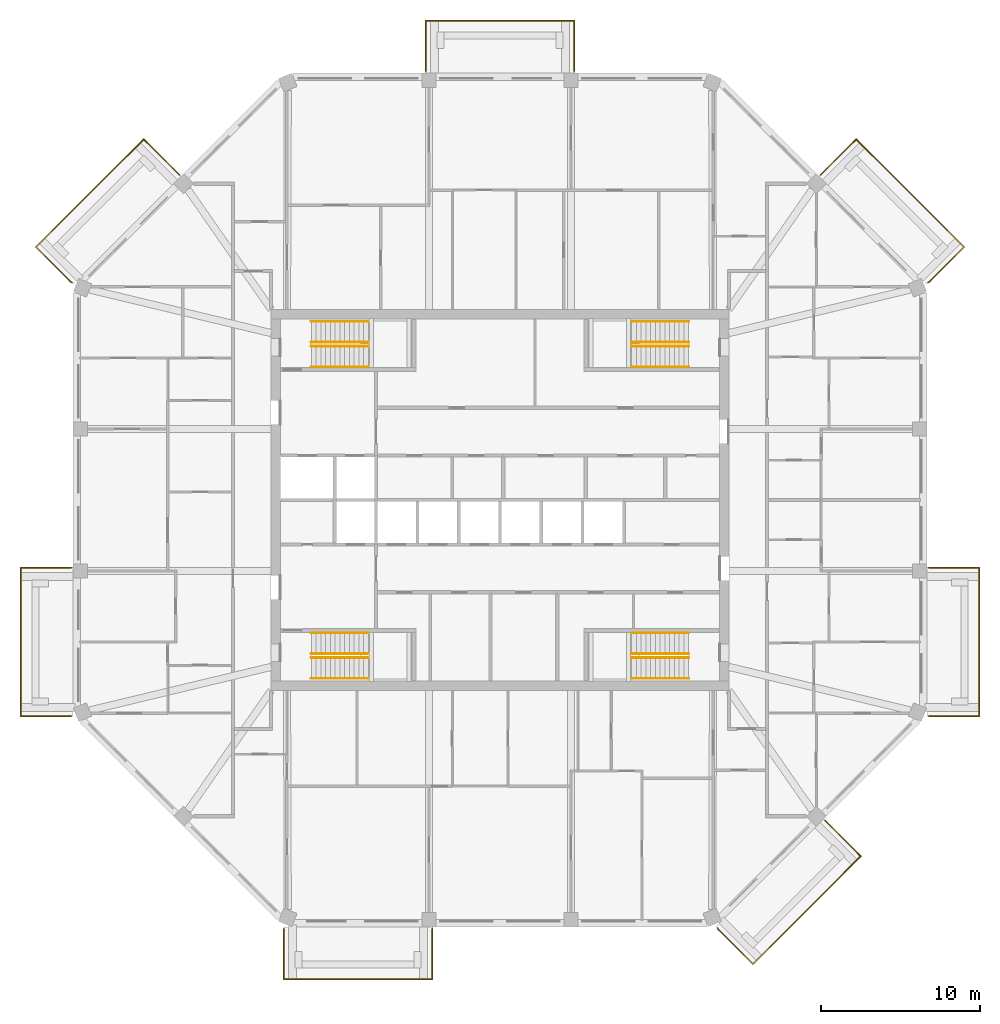
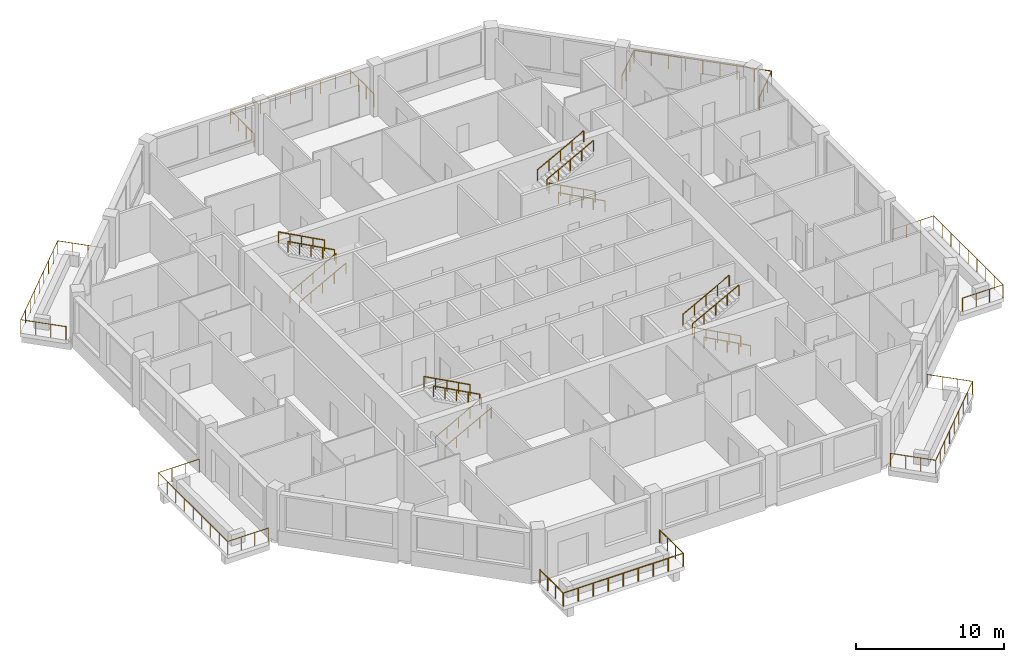
# One storey, part 11 of 11: 23 railings.
"""IFC4 building model written with IfcOpenShell, lengths in metres."""

from ifc_helpers import new_model, si_unit, direction, frame, origin, origin_2d, place, context, subcontext, project, spatial, circle, extrude, material, constituent, constituent_set, type_object, element, save


model = new_model("IFC4")

# Units and contexts
model_context = context("Model", 3, precision=1e-05, world=origin(), true_north=direction((0.0, 1.0)))
body_context = subcontext(model_context, "Body", "Model", "MODEL_VIEW")
ifc_project = project(units=[si_unit("LENGTHUNIT", "METRE"), si_unit("AREAUNIT", "SQUARE_METRE"), si_unit("VOLUMEUNIT", "CUBIC_METRE"), si_unit("PLANEANGLEUNIT", "RADIAN"), si_unit("MASSUNIT", "GRAM", prefix="KILO")], contexts=[model_context])

# Site, building, storey
site_placement = place(None, origin())
site = spatial("IfcSite", under=ifc_project, at=site_placement, CompositionType="ELEMENT")
building_placement = place(site_placement, origin())
building = spatial("IfcBuilding", under=site, at=building_placement, Name="Msitu Wima Residences", CompositionType="ELEMENT")
storey_placement = place(building_placement, frame((0.0, 0.0, 264.300048828125)))
storey = spatial("IfcBuildingStorey", under=building, at=storey_placement, Name="L61", CompositionType="ELEMENT", Elevation=264.300048828125)

# Railings
ifc_material_1 = material(Name="Steel S355", Category="steel")
ifc_constituent_1 = constituent(ifc_material_1, Name="Steel S355")
ifc_material_2 = material(Name="Weathering patina")
ifc_constituent_2 = constituent(ifc_material_2, Name="Weathering patina")
ifc_constituent_set_1 = constituent_set(constituents=[ifc_constituent_1, ifc_constituent_2], Name="Steel S355")
railing_type_1 = type_object("IfcRailingType", Name="Balcony guard GR1100", PredefinedType="GUARDRAIL", material=ifc_constituent_set_1)
railing_1_placement = place(storey_placement, frame((26.97998046875, -4.2685546875, 0.0)))
element("IfcRailing", 1, at=railing_1_placement, inside=storey, type_object=railing_type_1, Name="Balcony guard E0 L61", PredefinedType="GUARDRAIL", context=body_context, shape_type="SweptSolid", body=[
    extrude(circle(Radius=0.02392578125, at=origin_2d()), frame((0.0, 0.0, 1.076171875), z_axis=(1.0, 0.0, 0.0), x_axis=(0.0, 1.0, 0.0)), (0.0, 0.0, 1.0), 3.169921875),
    extrude(circle(Radius=0.02392578125, at=origin_2d()), frame((3.169921875, 0.0, 1.076171875), z_axis=(0.0, -1.0, 0.0), x_axis=(1.0, 0.0, 0.0)), (0.0, 0.0, 1.0), 9.33740234375),
    extrude(circle(Radius=0.02392578125, at=origin_2d()), frame((3.169921875, -9.33740234375, 1.076171875), z_axis=(-1.0, 0.0, 0.0), x_axis=(0.0, -1.0, 0.0)), (0.0, 0.0, 1.0), 3.136474609375),
    extrude(circle(Radius=0.02392578125, at=origin_2d()), frame((0.033447265625, -9.33740234375, 1.076171875), z_axis=(-0.923276184907, 0.384136806859, 0.0), x_axis=(-0.384136806859, -0.923276184907, 0.0)), (0.0, 0.0, 1.0), 0.0361328125),
    extrude(circle(Radius=0.02099609375, at=origin_2d()), origin(), (0.0, 0.0, 1.0), 1.052001953125),
    extrude(circle(Radius=0.02099609375, at=origin_2d()), frame((1.056640625, 0.0, 0.0)), (0.0, 0.0, 1.0), 1.052001953125),
    extrude(circle(Radius=0.02099609375, at=origin_2d()), frame((2.11328125, 0.0, 0.0)), (0.0, 0.0, 1.0), 1.052001953125),
    extrude(circle(Radius=0.02099609375, at=origin_2d()), frame((3.169921875, 0.0, 0.0)), (0.0, 0.0, 1.0), 1.052001953125),
    extrude(circle(Radius=0.02099609375, at=origin_2d()), frame((3.169921875, -1.167236328125, 0.0)), (0.0, 0.0, 1.0), 1.052001953125),
    extrude(circle(Radius=0.02099609375, at=origin_2d()), frame((3.169921875, -2.33447265625, 0.0)), (0.0, 0.0, 1.0), 1.052001953125),
    extrude(circle(Radius=0.02099609375, at=origin_2d()), frame((3.169921875, -3.50146484375, 0.0)), (0.0, 0.0, 1.0), 1.052001953125),
    extrude(circle(Radius=0.02099609375, at=origin_2d()), frame((3.169921875, -4.668701171875, 0.0)), (0.0, 0.0, 1.0), 1.052001953125),
    extrude(circle(Radius=0.02099609375, at=origin_2d()), frame((3.169921875, -5.8359375, 0.0)), (0.0, 0.0, 1.0), 1.052001953125),
    extrude(circle(Radius=0.02099609375, at=origin_2d()), frame((3.169921875, -7.0029296875, 0.0)), (0.0, 0.0, 1.0), 1.052001953125),
    extrude(circle(Radius=0.02099609375, at=origin_2d()), frame((3.169921875, -8.170166015625, 0.0)), (0.0, 0.0, 1.0), 1.052001953125),
    extrude(circle(Radius=0.02099609375, at=origin_2d()), frame((3.169921875, -9.33740234375, 0.0)), (0.0, 0.0, 1.0), 1.052001953125),
    extrude(circle(Radius=0.02099609375, at=origin_2d()), frame((2.12451171875, -9.33740234375, 0.0)), (0.0, 0.0, 1.0), 1.052001953125),
    extrude(circle(Radius=0.02099609375, at=origin_2d()), frame((1.078857421875, -9.33740234375, 0.0)), (0.0, 0.0, 1.0), 1.052001953125),
    extrude(circle(Radius=0.02099609375, at=origin_2d()), frame((0.033447265625, -9.33740234375, 0.0)), (0.0, 0.0, 1.0), 1.052001953125),
    extrude(circle(Radius=0.02099609375, at=origin_2d()), frame((0.0, -9.323486328125, 0.0)), (0.0, 0.0, 1.0), 1.052001953125),
])
railing_2_placement = place(storey_placement, frame((20.171630859375, 20.45458984375, 0.0)))
element("IfcRailing", 2, at=railing_2_placement, inside=storey, type_object=railing_type_1, Name="Balcony guard NE0 L61", PredefinedType="GUARDRAIL", context=body_context, shape_type="SweptSolid", body=[
    extrude(circle(Radius=0.02392578125, at=origin_2d()), frame((0.0, 0.0, 1.076171875), z_axis=(0.707106781187, 0.707106781187, 0.0), x_axis=(-0.707106781187, 0.707106781187, 0.0)), (0.0, 0.0, 1.0), 3.169921875),
    extrude(circle(Radius=0.02392578125, at=origin_2d()), frame((2.241455078125, 2.241455078125, 1.076171875), z_axis=(0.707106781187, -0.707106781187, 0.0), x_axis=(0.707106781187, 0.707106781187, 0.0)), (0.0, 0.0, 1.0), 9.58837890625),
    extrude(circle(Radius=0.02392578125, at=origin_2d()), frame((9.021484375, -4.53857421875, 1.076171875), z_axis=(-0.707106781187, -0.707106781187, 0.0), x_axis=(0.707106781187, -0.707106781187, 0.0)), (0.0, 0.0, 1.0), 3.136474609375),
    extrude(circle(Radius=0.02392578125, at=origin_2d()), frame((6.8037109375, -6.75634765625, 1.076171875), z_axis=(-0.92426142649, -0.38176015442, 0.0), x_axis=(0.38176015442, -0.92426142649, 0.0)), (0.0, 0.0, 1.0), 0.036376953125),
    extrude(circle(Radius=0.02099609375, at=origin_2d()), origin(), (0.0, 0.0, 1.0), 1.052001953125),
    extrude(circle(Radius=0.02099609375, at=origin_2d()), frame((0.7470703125, 0.7470703125, 0.0)), (0.0, 0.0, 1.0), 1.052001953125),
    extrude(circle(Radius=0.02099609375, at=origin_2d()), frame((1.494384765625, 1.494384765625, 0.0)), (0.0, 0.0, 1.0), 1.052001953125),
    extrude(circle(Radius=0.02099609375, at=origin_2d()), frame((2.241455078125, 2.241455078125, 0.0)), (0.0, 0.0, 1.0), 1.052001953125),
    extrude(circle(Radius=0.02099609375, at=origin_2d()), frame((3.0888671875, 1.39404296875, 0.0)), (0.0, 0.0, 1.0), 1.052001953125),
    extrude(circle(Radius=0.02099609375, at=origin_2d()), frame((3.9365234375, 0.54638671875, 0.0)), (0.0, 0.0, 1.0), 1.052001953125),
    extrude(circle(Radius=0.02099609375, at=origin_2d()), frame((4.783935546875, -0.301025390625, 0.0)), (0.0, 0.0, 1.0), 1.052001953125),
    extrude(circle(Radius=0.02099609375, at=origin_2d()), frame((5.63134765625, -1.1484375, 0.0)), (0.0, 0.0, 1.0), 1.052001953125),
    extrude(circle(Radius=0.02099609375, at=origin_2d()), frame((6.47900390625, -1.99609375, 0.0)), (0.0, 0.0, 1.0), 1.052001953125),
    extrude(circle(Radius=0.02099609375, at=origin_2d()), frame((7.326416015625, -2.843505859375, 0.0)), (0.0, 0.0, 1.0), 1.052001953125),
    extrude(circle(Radius=0.02099609375, at=origin_2d()), frame((8.174072265625, -3.691162109375, 0.0)), (0.0, 0.0, 1.0), 1.052001953125),
    extrude(circle(Radius=0.02099609375, at=origin_2d()), frame((9.021484375, -4.53857421875, 0.0)), (0.0, 0.0, 1.0), 1.052001953125),
    extrude(circle(Radius=0.02099609375, at=origin_2d()), frame((8.2822265625, -5.27783203125, 0.0)), (0.0, 0.0, 1.0), 1.052001953125),
    extrude(circle(Radius=0.02099609375, at=origin_2d()), frame((7.54296875, -6.01708984375, 0.0)), (0.0, 0.0, 1.0), 1.052001953125),
    extrude(circle(Radius=0.02099609375, at=origin_2d()), frame((6.8037109375, -6.75634765625, 0.0)), (0.0, 0.0, 1.0), 1.052001953125),
    extrude(circle(Radius=0.02099609375, at=origin_2d()), frame((6.77001953125, -6.770263671875, 0.0)), (0.0, 0.0, 1.0), 1.052001953125),
])
railing_3_placement = place(storey_placement, frame((-4.668701171875, 26.97998046875, 0.0)))
element("IfcRailing", 3, at=railing_3_placement, inside=storey, type_object=railing_type_1, Name="Balcony guard N1 L61", PredefinedType="GUARDRAIL", context=body_context, shape_type="SweptSolid", body=[
    extrude(circle(Radius=0.02392578125, at=origin_2d()), frame((0.0, 0.0, 1.076171875), z_axis=(0.0, 1.0, 0.0), x_axis=(-1.0, 0.0, 0.0)), (0.0, 0.0, 1.0), 3.169921875),
    extrude(circle(Radius=0.02392578125, at=origin_2d()), frame((0.0, 3.169921875, 1.076171875), z_axis=(1.0, 0.0, 0.0), x_axis=(0.0, 1.0, 0.0)), (0.0, 0.0, 1.0), 9.33740234375),
    extrude(circle(Radius=0.02392578125, at=origin_2d()), frame((9.33740234375, 3.169921875, 1.076171875), z_axis=(0.0, -1.0, 0.0), x_axis=(1.0, 0.0, 0.0)), (0.0, 0.0, 1.0), 3.169921875),
    extrude(circle(Radius=0.02099609375, at=origin_2d()), origin(), (0.0, 0.0, 1.0), 1.052001953125),
    extrude(circle(Radius=0.02099609375, at=origin_2d()), frame((0.0, 1.056640625, 0.0)), (0.0, 0.0, 1.0), 1.052001953125),
    extrude(circle(Radius=0.02099609375, at=origin_2d()), frame((0.0, 2.11328125, 0.0)), (0.0, 0.0, 1.0), 1.052001953125),
    extrude(circle(Radius=0.02099609375, at=origin_2d()), frame((0.0, 3.169921875, 0.0)), (0.0, 0.0, 1.0), 1.052001953125),
    extrude(circle(Radius=0.02099609375, at=origin_2d()), frame((1.167236328125, 3.169921875, 0.0)), (0.0, 0.0, 1.0), 1.052001953125),
    extrude(circle(Radius=0.02099609375, at=origin_2d()), frame((2.33447265625, 3.169921875, 0.0)), (0.0, 0.0, 1.0), 1.052001953125),
    extrude(circle(Radius=0.02099609375, at=origin_2d()), frame((3.50146484375, 3.169921875, 0.0)), (0.0, 0.0, 1.0), 1.052001953125),
    extrude(circle(Radius=0.02099609375, at=origin_2d()), frame((4.668701171875, 3.169921875, 0.0)), (0.0, 0.0, 1.0), 1.052001953125),
    extrude(circle(Radius=0.02099609375, at=origin_2d()), frame((5.8359375, 3.169921875, 0.0)), (0.0, 0.0, 1.0), 1.052001953125),
    extrude(circle(Radius=0.02099609375, at=origin_2d()), frame((7.0029296875, 3.169921875, 0.0)), (0.0, 0.0, 1.0), 1.052001953125),
    extrude(circle(Radius=0.02099609375, at=origin_2d()), frame((8.170166015625, 3.169921875, 0.0)), (0.0, 0.0, 1.0), 1.052001953125),
    extrude(circle(Radius=0.02099609375, at=origin_2d()), frame((9.33740234375, 3.169921875, 0.0)), (0.0, 0.0, 1.0), 1.052001953125),
    extrude(circle(Radius=0.02099609375, at=origin_2d()), frame((9.33740234375, 2.11328125, 0.0)), (0.0, 0.0, 1.0), 1.052001953125),
    extrude(circle(Radius=0.02099609375, at=origin_2d()), frame((9.33740234375, 1.056640625, 0.0)), (0.0, 0.0, 1.0), 1.052001953125),
    extrude(circle(Radius=0.02099609375, at=origin_2d()), frame((9.33740234375, 0.0, 0.0)), (0.0, 0.0, 1.0), 1.052001953125),
])
railing_4_placement = place(storey_placement, frame((-26.941650390625, 13.684326171875, 0.0)))
element("IfcRailing", 4, at=railing_4_placement, inside=storey, type_object=railing_type_1, Name="Balcony guard NW1 L61", PredefinedType="GUARDRAIL", context=body_context, shape_type="SweptSolid", body=[
    extrude(circle(Radius=0.02392578125, at=origin_2d()), frame((0.0, 0.0, 1.076171875), z_axis=(-0.92426142649, 0.38176015442, 0.0), x_axis=(-0.38176015442, -0.92426142649, 0.0)), (0.0, 0.0, 1.0), 0.036376953125),
    extrude(circle(Radius=0.02392578125, at=origin_2d()), frame((-0.03369140625, 0.013916015625, 1.076171875), z_axis=(-0.707106781187, 0.707106781187, 0.0), x_axis=(-0.707106781187, -0.707106781187, 0.0)), (0.0, 0.0, 1.0), 3.136474609375),
    extrude(circle(Radius=0.02392578125, at=origin_2d()), frame((-2.25146484375, 2.231689453125, 1.076171875), z_axis=(0.707106781187, 0.707106781187, 0.0), x_axis=(-0.707106781187, 0.707106781187, 0.0)), (0.0, 0.0, 1.0), 9.58837890625),
    extrude(circle(Radius=0.02392578125, at=origin_2d()), frame((4.528564453125, 9.01171875, 1.076171875), z_axis=(0.707106781187, -0.707106781187, 0.0), x_axis=(0.707106781187, 0.707106781187, 0.0)), (0.0, 0.0, 1.0), 3.169921875),
    extrude(circle(Radius=0.02099609375, at=origin_2d()), origin(), (0.0, 0.0, 1.0), 1.052001953125),
    extrude(circle(Radius=0.02099609375, at=origin_2d()), frame((-0.03369140625, 0.013916015625, 0.0)), (0.0, 0.0, 1.0), 1.052001953125),
    extrude(circle(Radius=0.02099609375, at=origin_2d()), frame((-0.77294921875, 0.753173828125, 0.0)), (0.0, 0.0, 1.0), 1.052001953125),
    extrude(circle(Radius=0.02099609375, at=origin_2d()), frame((-1.51220703125, 1.492431640625, 0.0)), (0.0, 0.0, 1.0), 1.052001953125),
    extrude(circle(Radius=0.02099609375, at=origin_2d()), frame((-2.25146484375, 2.231689453125, 0.0)), (0.0, 0.0, 1.0), 1.052001953125),
    extrude(circle(Radius=0.02099609375, at=origin_2d()), frame((-1.404052734375, 3.0791015625, 0.0)), (0.0, 0.0, 1.0), 1.052001953125),
    extrude(circle(Radius=0.02099609375, at=origin_2d()), frame((-0.556396484375, 3.9267578125, 0.0)), (0.0, 0.0, 1.0), 1.052001953125),
    extrude(circle(Radius=0.02099609375, at=origin_2d()), frame((0.291015625, 4.774169921875, 0.0)), (0.0, 0.0, 1.0), 1.052001953125),
    extrude(circle(Radius=0.02099609375, at=origin_2d()), frame((1.138671875, 5.62158203125, 0.0)), (0.0, 0.0, 1.0), 1.052001953125),
    extrude(circle(Radius=0.02099609375, at=origin_2d()), frame((1.986083984375, 6.46923828125, 0.0)), (0.0, 0.0, 1.0), 1.052001953125),
    extrude(circle(Radius=0.02099609375, at=origin_2d()), frame((2.83349609375, 7.316650390625, 0.0)), (0.0, 0.0, 1.0), 1.052001953125),
    extrude(circle(Radius=0.02099609375, at=origin_2d()), frame((3.68115234375, 8.164306640625, 0.0)), (0.0, 0.0, 1.0), 1.052001953125),
    extrude(circle(Radius=0.02099609375, at=origin_2d()), frame((4.528564453125, 9.01171875, 0.0)), (0.0, 0.0, 1.0), 1.052001953125),
    extrude(circle(Radius=0.02099609375, at=origin_2d()), frame((5.275634765625, 8.2646484375, 0.0)), (0.0, 0.0, 1.0), 1.052001953125),
    extrude(circle(Radius=0.02099609375, at=origin_2d()), frame((6.02294921875, 7.517333984375, 0.0)), (0.0, 0.0, 1.0), 1.052001953125),
    extrude(circle(Radius=0.02099609375, at=origin_2d()), frame((6.77001953125, 6.770263671875, 0.0)), (0.0, 0.0, 1.0), 1.052001953125),
])
railing_5_placement = place(storey_placement, frame((-26.97998046875, -13.592041015625, 0.0)))
element("IfcRailing", 5, at=railing_5_placement, inside=storey, type_object=railing_type_1, Name="Balcony guard W2 L61", PredefinedType="GUARDRAIL", context=body_context, shape_type="SweptSolid", body=[
    extrude(circle(Radius=0.02392578125, at=origin_2d()), frame((0.0, 0.0, 1.076171875), z_axis=(-0.923276184907, -0.384136806859, 0.0), x_axis=(0.384136806859, -0.923276184907, 0.0)), (0.0, 0.0, 1.0), 0.0361328125),
    extrude(circle(Radius=0.02392578125, at=origin_2d()), frame((-0.033447265625, -0.013916015625, 1.076171875), z_axis=(-1.0, 0.0, 0.0), x_axis=(0.0, -1.0, 0.0)), (0.0, 0.0, 1.0), 3.136474609375),
    extrude(circle(Radius=0.02392578125, at=origin_2d()), frame((-3.169921875, -0.013916015625, 1.076171875), z_axis=(0.0, 1.0, 0.0), x_axis=(-1.0, 0.0, 0.0)), (0.0, 0.0, 1.0), 9.33740234375),
    extrude(circle(Radius=0.02392578125, at=origin_2d()), frame((-3.169921875, 9.323486328125, 1.076171875), z_axis=(1.0, 0.0, 0.0), x_axis=(0.0, 1.0, 0.0)), (0.0, 0.0, 1.0), 3.169921875),
    extrude(circle(Radius=0.02099609375, at=origin_2d()), origin(), (0.0, 0.0, 1.0), 1.052001953125),
    extrude(circle(Radius=0.02099609375, at=origin_2d()), frame((-0.033447265625, -0.013916015625, 0.0)), (0.0, 0.0, 1.0), 1.052001953125),
    extrude(circle(Radius=0.02099609375, at=origin_2d()), frame((-1.078857421875, -0.013916015625, 0.0)), (0.0, 0.0, 1.0), 1.052001953125),
    extrude(circle(Radius=0.02099609375, at=origin_2d()), frame((-2.12451171875, -0.013916015625, 0.0)), (0.0, 0.0, 1.0), 1.052001953125),
    extrude(circle(Radius=0.02099609375, at=origin_2d()), frame((-3.169921875, -0.013916015625, 0.0)), (0.0, 0.0, 1.0), 1.052001953125),
    extrude(circle(Radius=0.02099609375, at=origin_2d()), frame((-3.169921875, 1.1533203125, 0.0)), (0.0, 0.0, 1.0), 1.052001953125),
    extrude(circle(Radius=0.02099609375, at=origin_2d()), frame((-3.169921875, 2.3203125, 0.0)), (0.0, 0.0, 1.0), 1.052001953125),
    extrude(circle(Radius=0.02099609375, at=origin_2d()), frame((-3.169921875, 3.487548828125, 0.0)), (0.0, 0.0, 1.0), 1.052001953125),
    extrude(circle(Radius=0.02099609375, at=origin_2d()), frame((-3.169921875, 4.65478515625, 0.0)), (0.0, 0.0, 1.0), 1.052001953125),
    extrude(circle(Radius=0.02099609375, at=origin_2d()), frame((-3.169921875, 5.822021484375, 0.0)), (0.0, 0.0, 1.0), 1.052001953125),
    extrude(circle(Radius=0.02099609375, at=origin_2d()), frame((-3.169921875, 6.9892578125, 0.0)), (0.0, 0.0, 1.0), 1.052001953125),
    extrude(circle(Radius=0.02099609375, at=origin_2d()), frame((-3.169921875, 8.15625, 0.0)), (0.0, 0.0, 1.0), 1.052001953125),
    extrude(circle(Radius=0.02099609375, at=origin_2d()), frame((-3.169921875, 9.323486328125, 0.0)), (0.0, 0.0, 1.0), 1.052001953125),
    extrude(circle(Radius=0.02099609375, at=origin_2d()), frame((-2.11328125, 9.323486328125, 0.0)), (0.0, 0.0, 1.0), 1.052001953125),
    extrude(circle(Radius=0.02099609375, at=origin_2d()), frame((-1.056640625, 9.323486328125, 0.0)), (0.0, 0.0, 1.0), 1.052001953125),
    extrude(circle(Radius=0.02099609375, at=origin_2d()), frame((0.0, 9.323486328125, 0.0)), (0.0, 0.0, 1.0), 1.052001953125),
])
railing_6_placement = place(storey_placement, frame((-4.2685546875, -26.97998046875, 0.0)))
element("IfcRailing", 6, at=railing_6_placement, inside=storey, type_object=railing_type_1, Name="Balcony guard S0 L61", PredefinedType="GUARDRAIL", context=body_context, shape_type="SweptSolid", body=[
    extrude(circle(Radius=0.02392578125, at=origin_2d()), frame((0.0, 0.0, 1.076171875), z_axis=(0.0, -1.0, 0.0), x_axis=(1.0, 0.0, 0.0)), (0.0, 0.0, 1.0), 3.169921875),
    extrude(circle(Radius=0.02392578125, at=origin_2d()), frame((0.0, -3.169921875, 1.076171875), z_axis=(-1.0, 0.0, 0.0), x_axis=(0.0, -1.0, 0.0)), (0.0, 0.0, 1.0), 9.33740234375),
    extrude(circle(Radius=0.02392578125, at=origin_2d()), frame((-9.33740234375, -3.169921875, 1.076171875), z_axis=(0.0, 1.0, 0.0), x_axis=(-1.0, 0.0, 0.0)), (0.0, 0.0, 1.0), 3.136474609375),
    extrude(circle(Radius=0.02392578125, at=origin_2d()), frame((-9.33740234375, -0.033447265625, 1.076171875), z_axis=(0.384136806859, 0.923276184907, 0.0), x_axis=(-0.923276184907, 0.384136806859, 0.0)), (0.0, 0.0, 1.0), 0.0361328125),
    extrude(circle(Radius=0.02099609375, at=origin_2d()), origin(), (0.0, 0.0, 1.0), 1.052001953125),
    extrude(circle(Radius=0.02099609375, at=origin_2d()), frame((0.0, -1.056640625, 0.0)), (0.0, 0.0, 1.0), 1.052001953125),
    extrude(circle(Radius=0.02099609375, at=origin_2d()), frame((0.0, -2.11328125, 0.0)), (0.0, 0.0, 1.0), 1.052001953125),
    extrude(circle(Radius=0.02099609375, at=origin_2d()), frame((0.0, -3.169921875, 0.0)), (0.0, 0.0, 1.0), 1.052001953125),
    extrude(circle(Radius=0.02099609375, at=origin_2d()), frame((-1.167236328125, -3.169921875, 0.0)), (0.0, 0.0, 1.0), 1.052001953125),
    extrude(circle(Radius=0.02099609375, at=origin_2d()), frame((-2.33447265625, -3.169921875, 0.0)), (0.0, 0.0, 1.0), 1.052001953125),
    extrude(circle(Radius=0.02099609375, at=origin_2d()), frame((-3.50146484375, -3.169921875, 0.0)), (0.0, 0.0, 1.0), 1.052001953125),
    extrude(circle(Radius=0.02099609375, at=origin_2d()), frame((-4.668701171875, -3.169921875, 0.0)), (0.0, 0.0, 1.0), 1.052001953125),
    extrude(circle(Radius=0.02099609375, at=origin_2d()), frame((-5.8359375, -3.169921875, 0.0)), (0.0, 0.0, 1.0), 1.052001953125),
    extrude(circle(Radius=0.02099609375, at=origin_2d()), frame((-7.0029296875, -3.169921875, 0.0)), (0.0, 0.0, 1.0), 1.052001953125),
    extrude(circle(Radius=0.02099609375, at=origin_2d()), frame((-8.170166015625, -3.169921875, 0.0)), (0.0, 0.0, 1.0), 1.052001953125),
    extrude(circle(Radius=0.02099609375, at=origin_2d()), frame((-9.33740234375, -3.169921875, 0.0)), (0.0, 0.0, 1.0), 1.052001953125),
    extrude(circle(Radius=0.02099609375, at=origin_2d()), frame((-9.33740234375, -2.12451171875, 0.0)), (0.0, 0.0, 1.0), 1.052001953125),
    extrude(circle(Radius=0.02099609375, at=origin_2d()), frame((-9.33740234375, -1.078857421875, 0.0)), (0.0, 0.0, 1.0), 1.052001953125),
    extrude(circle(Radius=0.02099609375, at=origin_2d()), frame((-9.33740234375, -0.033447265625, 0.0)), (0.0, 0.0, 1.0), 1.052001953125),
    extrude(circle(Radius=0.02099609375, at=origin_2d()), frame((-9.323486328125, 0.0, 0.0)), (0.0, 0.0, 1.0), 1.052001953125),
])
railing_7_placement = place(storey_placement, frame((20.45458984375, -20.171630859375, 0.0)))
element("IfcRailing", 7, at=railing_7_placement, inside=storey, type_object=railing_type_1, Name="Balcony guard SE0 L61", PredefinedType="GUARDRAIL", context=body_context, shape_type="SweptSolid", body=[
    extrude(circle(Radius=0.02392578125, at=origin_2d()), frame((0.0, 0.0, 1.076171875), z_axis=(0.707106781187, -0.707106781187, 0.0), x_axis=(0.707106781187, 0.707106781187, 0.0)), (0.0, 0.0, 1.0), 3.169921875),
    extrude(circle(Radius=0.02392578125, at=origin_2d()), frame((2.241455078125, -2.241455078125, 1.076171875), z_axis=(-0.707106781187, -0.707106781187, 0.0), x_axis=(0.707106781187, -0.707106781187, 0.0)), (0.0, 0.0, 1.0), 9.58837890625),
    extrude(circle(Radius=0.02392578125, at=origin_2d()), frame((-4.53857421875, -9.021484375, 1.076171875), z_axis=(-0.707106781187, 0.707106781187, 0.0), x_axis=(-0.707106781187, -0.707106781187, 0.0)), (0.0, 0.0, 1.0), 3.136474609375),
    extrude(circle(Radius=0.02392578125, at=origin_2d()), frame((-6.75634765625, -6.8037109375, 1.076171875), z_axis=(-0.38176015442, 0.92426142649, 0.0), x_axis=(-0.92426142649, -0.38176015442, 0.0)), (0.0, 0.0, 1.0), 0.036376953125),
    extrude(circle(Radius=0.02099609375, at=origin_2d()), origin(), (0.0, 0.0, 1.0), 1.052001953125),
    extrude(circle(Radius=0.02099609375, at=origin_2d()), frame((0.7470703125, -0.7470703125, 0.0)), (0.0, 0.0, 1.0), 1.052001953125),
    extrude(circle(Radius=0.02099609375, at=origin_2d()), frame((1.494384765625, -1.494384765625, 0.0)), (0.0, 0.0, 1.0), 1.052001953125),
    extrude(circle(Radius=0.02099609375, at=origin_2d()), frame((2.241455078125, -2.241455078125, 0.0)), (0.0, 0.0, 1.0), 1.052001953125),
    extrude(circle(Radius=0.02099609375, at=origin_2d()), frame((1.39404296875, -3.0888671875, 0.0)), (0.0, 0.0, 1.0), 1.052001953125),
    extrude(circle(Radius=0.02099609375, at=origin_2d()), frame((0.54638671875, -3.9365234375, 0.0)), (0.0, 0.0, 1.0), 1.052001953125),
    extrude(circle(Radius=0.02099609375, at=origin_2d()), frame((-0.301025390625, -4.783935546875, 0.0)), (0.0, 0.0, 1.0), 1.052001953125),
    extrude(circle(Radius=0.02099609375, at=origin_2d()), frame((-1.1484375, -5.63134765625, 0.0)), (0.0, 0.0, 1.0), 1.052001953125),
    extrude(circle(Radius=0.02099609375, at=origin_2d()), frame((-1.99609375, -6.47900390625, 0.0)), (0.0, 0.0, 1.0), 1.052001953125),
    extrude(circle(Radius=0.02099609375, at=origin_2d()), frame((-2.843505859375, -7.326416015625, 0.0)), (0.0, 0.0, 1.0), 1.052001953125),
    extrude(circle(Radius=0.02099609375, at=origin_2d()), frame((-3.691162109375, -8.174072265625, 0.0)), (0.0, 0.0, 1.0), 1.052001953125),
    extrude(circle(Radius=0.02099609375, at=origin_2d()), frame((-4.53857421875, -9.021484375, 0.0)), (0.0, 0.0, 1.0), 1.052001953125),
    extrude(circle(Radius=0.02099609375, at=origin_2d()), frame((-5.27783203125, -8.2822265625, 0.0)), (0.0, 0.0, 1.0), 1.052001953125),
    extrude(circle(Radius=0.02099609375, at=origin_2d()), frame((-6.01708984375, -7.54296875, 0.0)), (0.0, 0.0, 1.0), 1.052001953125),
    extrude(circle(Radius=0.02099609375, at=origin_2d()), frame((-6.75634765625, -6.8037109375, 0.0)), (0.0, 0.0, 1.0), 1.052001953125),
    extrude(circle(Radius=0.02099609375, at=origin_2d()), frame((-6.770263671875, -6.77001953125, 0.0)), (0.0, 0.0, 1.0), 1.052001953125),
])
ifc_constituent_3 = constituent(ifc_material_1, Name="Steel S355")
ifc_material_3 = material(Name="Black powder coating")
ifc_constituent_4 = constituent(ifc_material_3, Name="Black powder coating")
ifc_constituent_set_2 = constituent_set(constituents=[ifc_constituent_3, ifc_constituent_4], Name="Steel S355")
railing_type_2 = type_object("IfcRailingType", Name="Stair handrail HR1", PredefinedType="HANDRAIL", material=ifc_constituent_set_2)
for number, where, name in (
    (8, (-11.875, 8.375, 0.161376953125), "Stair 1 handrail"),
    (9, (-11.875, 9.675048828125, 0.161376953125), "Stair 1 handrail"),
):
    element("IfcRailing", number, at=place(storey_placement, frame(where)), inside=storey, type_object=railing_type_2, Name=name, PredefinedType="HANDRAIL", context=body_context, shape_type="SweptSolid", body=[
        extrude(circle(Radius=0.02392578125, at=origin_2d()), frame((0.0, 0.0, 0.8759765625), z_axis=(0.880474934443, 0.0, 0.474092701714), x_axis=(0.0, 1.0, 0.0)), (0.0, 0.0, 1.0), 4.0888671875),
        extrude(circle(Radius=0.02099609375, at=origin_2d()), origin(), (0.0, 0.0, 1.0), 0.851806640625),
        extrude(circle(Radius=0.02099609375, at=origin_2d()), frame((0.89990234375, 0.0, 0.484619140625)), (0.0, 0.0, 1.0), 0.851806640625),
        extrude(circle(Radius=0.02099609375, at=origin_2d()), frame((1.800048828125, 0.0, 0.96923828125)), (0.0, 0.0, 1.0), 0.851806640625),
        extrude(circle(Radius=0.02099609375, at=origin_2d()), frame((2.7001953125, 0.0, 1.453857421875)), (0.0, 0.0, 1.0), 0.851806640625),
        extrude(circle(Radius=0.02099609375, at=origin_2d()), frame((3.60009765625, 0.0, 1.9384765625)), (0.0, 0.0, 1.0), 0.851806640625),
    ])
for number, where, name in (
    (10, (-8.27490234375, 9.925048828125, 2.261474609375), "Stair 1 handrail"),
    (11, (-8.27490234375, 11.22509765625, 2.261474609375), "Stair 1 handrail"),
):
    element("IfcRailing", number, at=place(storey_placement, frame(where)), inside=storey, type_object=railing_type_2, Name=name, PredefinedType="HANDRAIL", context=body_context, shape_type="SweptSolid", body=[
        extrude(circle(Radius=0.02392578125, at=origin_2d()), frame((0.0, 0.0, 0.8759765625), z_axis=(-0.880474934443, 0.0, 0.474092701714), x_axis=(0.0, -1.0, 0.0)), (0.0, 0.0, 1.0), 4.0888671875),
        extrude(circle(Radius=0.02099609375, at=origin_2d()), origin(), (0.0, 0.0, 1.0), 0.851806640625),
        extrude(circle(Radius=0.02099609375, at=origin_2d()), frame((-0.89990234375, 0.0, 0.484619140625)), (0.0, 0.0, 1.0), 0.851806640625),
        extrude(circle(Radius=0.02099609375, at=origin_2d()), frame((-1.800048828125, 0.0, 0.96923828125)), (0.0, 0.0, 1.0), 0.851806640625),
        extrude(circle(Radius=0.02099609375, at=origin_2d()), frame((-2.7001953125, 0.0, 1.453857421875)), (0.0, 0.0, 1.0), 0.851806640625),
        extrude(circle(Radius=0.02099609375, at=origin_2d()), frame((-3.60009765625, 0.0, 1.9384765625)), (0.0, 0.0, 1.0), 0.851806640625),
    ])
for number, where, name in (
    (12, (-11.875, -11.22509765625, 0.161376953125), "Stair 2 handrail"),
    (13, (-11.875, -9.925048828125, 0.161376953125), "Stair 2 handrail"),
):
    element("IfcRailing", number, at=place(storey_placement, frame(where)), inside=storey, type_object=railing_type_2, Name=name, PredefinedType="HANDRAIL", context=body_context, shape_type="SweptSolid", body=[
        extrude(circle(Radius=0.02392578125, at=origin_2d()), frame((0.0, 0.0, 0.8759765625), z_axis=(0.880474934443, 0.0, 0.474092701714), x_axis=(0.0, 1.0, 0.0)), (0.0, 0.0, 1.0), 4.0888671875),
        extrude(circle(Radius=0.02099609375, at=origin_2d()), origin(), (0.0, 0.0, 1.0), 0.851806640625),
        extrude(circle(Radius=0.02099609375, at=origin_2d()), frame((0.89990234375, 0.0, 0.484619140625)), (0.0, 0.0, 1.0), 0.851806640625),
        extrude(circle(Radius=0.02099609375, at=origin_2d()), frame((1.800048828125, 0.0, 0.96923828125)), (0.0, 0.0, 1.0), 0.851806640625),
        extrude(circle(Radius=0.02099609375, at=origin_2d()), frame((2.7001953125, 0.0, 1.453857421875)), (0.0, 0.0, 1.0), 0.851806640625),
        extrude(circle(Radius=0.02099609375, at=origin_2d()), frame((3.60009765625, 0.0, 1.9384765625)), (0.0, 0.0, 1.0), 0.851806640625),
    ])
for number, where, name in (
    (14, (-8.27490234375, -9.675048828125, 2.261474609375), "Stair 2 handrail"),
    (15, (-8.27490234375, -8.375, 2.261474609375), "Stair 2 handrail"),
    (16, (11.875, 8.375, 0.161376953125), "Stair 3 handrail"),
    (17, (11.875, 9.675048828125, 0.161376953125), "Stair 3 handrail"),
):
    element("IfcRailing", number, at=place(storey_placement, frame(where)), inside=storey, type_object=railing_type_2, Name=name, PredefinedType="HANDRAIL", context=body_context, shape_type="SweptSolid", body=[
        extrude(circle(Radius=0.02392578125, at=origin_2d()), frame((0.0, 0.0, 0.8759765625), z_axis=(-0.880474934443, 0.0, 0.474092701714), x_axis=(0.0, -1.0, 0.0)), (0.0, 0.0, 1.0), 4.0888671875),
        extrude(circle(Radius=0.02099609375, at=origin_2d()), origin(), (0.0, 0.0, 1.0), 0.851806640625),
        extrude(circle(Radius=0.02099609375, at=origin_2d()), frame((-0.89990234375, 0.0, 0.484619140625)), (0.0, 0.0, 1.0), 0.851806640625),
        extrude(circle(Radius=0.02099609375, at=origin_2d()), frame((-1.800048828125, 0.0, 0.96923828125)), (0.0, 0.0, 1.0), 0.851806640625),
        extrude(circle(Radius=0.02099609375, at=origin_2d()), frame((-2.7001953125, 0.0, 1.453857421875)), (0.0, 0.0, 1.0), 0.851806640625),
        extrude(circle(Radius=0.02099609375, at=origin_2d()), frame((-3.60009765625, 0.0, 1.9384765625)), (0.0, 0.0, 1.0), 0.851806640625),
    ])
for number, where, name in (
    (18, (8.27490234375, 9.925048828125, 2.261474609375), "Stair 3 handrail"),
    (19, (8.27490234375, 11.22509765625, 2.261474609375), "Stair 3 handrail"),
):
    element("IfcRailing", number, at=place(storey_placement, frame(where)), inside=storey, type_object=railing_type_2, Name=name, PredefinedType="HANDRAIL", context=body_context, shape_type="SweptSolid", body=[
        extrude(circle(Radius=0.02392578125, at=origin_2d()), frame((0.0, 0.0, 0.8759765625), z_axis=(0.880474934443, 0.0, 0.474092701714), x_axis=(0.0, 1.0, 0.0)), (0.0, 0.0, 1.0), 4.0888671875),
        extrude(circle(Radius=0.02099609375, at=origin_2d()), origin(), (0.0, 0.0, 1.0), 0.851806640625),
        extrude(circle(Radius=0.02099609375, at=origin_2d()), frame((0.89990234375, 0.0, 0.484619140625)), (0.0, 0.0, 1.0), 0.851806640625),
        extrude(circle(Radius=0.02099609375, at=origin_2d()), frame((1.800048828125, 0.0, 0.96923828125)), (0.0, 0.0, 1.0), 0.851806640625),
        extrude(circle(Radius=0.02099609375, at=origin_2d()), frame((2.7001953125, 0.0, 1.453857421875)), (0.0, 0.0, 1.0), 0.851806640625),
        extrude(circle(Radius=0.02099609375, at=origin_2d()), frame((3.60009765625, 0.0, 1.9384765625)), (0.0, 0.0, 1.0), 0.851806640625),
    ])
for number, where, name in (
    (20, (11.875, -11.22509765625, 0.161376953125), "Stair 4 handrail"),
    (21, (11.875, -9.925048828125, 0.161376953125), "Stair 4 handrail"),
):
    element("IfcRailing", number, at=place(storey_placement, frame(where)), inside=storey, type_object=railing_type_2, Name=name, PredefinedType="HANDRAIL", context=body_context, shape_type="SweptSolid", body=[
        extrude(circle(Radius=0.02392578125, at=origin_2d()), frame((0.0, 0.0, 0.8759765625), z_axis=(-0.880474934443, 0.0, 0.474092701714), x_axis=(0.0, -1.0, 0.0)), (0.0, 0.0, 1.0), 4.0888671875),
        extrude(circle(Radius=0.02099609375, at=origin_2d()), origin(), (0.0, 0.0, 1.0), 0.851806640625),
        extrude(circle(Radius=0.02099609375, at=origin_2d()), frame((-0.89990234375, 0.0, 0.484619140625)), (0.0, 0.0, 1.0), 0.851806640625),
        extrude(circle(Radius=0.02099609375, at=origin_2d()), frame((-1.800048828125, 0.0, 0.96923828125)), (0.0, 0.0, 1.0), 0.851806640625),
        extrude(circle(Radius=0.02099609375, at=origin_2d()), frame((-2.7001953125, 0.0, 1.453857421875)), (0.0, 0.0, 1.0), 0.851806640625),
        extrude(circle(Radius=0.02099609375, at=origin_2d()), frame((-3.60009765625, 0.0, 1.9384765625)), (0.0, 0.0, 1.0), 0.851806640625),
    ])
for number, where, name in (
    (22, (8.27490234375, -9.675048828125, 2.261474609375), "Stair 4 handrail"),
    (23, (8.27490234375, -8.375, 2.261474609375), "Stair 4 handrail"),
):
    element("IfcRailing", number, at=place(storey_placement, frame(where)), inside=storey, type_object=railing_type_2, Name=name, PredefinedType="HANDRAIL", context=body_context, shape_type="SweptSolid", body=[
        extrude(circle(Radius=0.02392578125, at=origin_2d()), frame((0.0, 0.0, 0.8759765625), z_axis=(0.880474934443, 0.0, 0.474092701714), x_axis=(0.0, 1.0, 0.0)), (0.0, 0.0, 1.0), 4.0888671875),
        extrude(circle(Radius=0.02099609375, at=origin_2d()), origin(), (0.0, 0.0, 1.0), 0.851806640625),
        extrude(circle(Radius=0.02099609375, at=origin_2d()), frame((0.89990234375, 0.0, 0.484619140625)), (0.0, 0.0, 1.0), 0.851806640625),
        extrude(circle(Radius=0.02099609375, at=origin_2d()), frame((1.800048828125, 0.0, 0.96923828125)), (0.0, 0.0, 1.0), 0.851806640625),
        extrude(circle(Radius=0.02099609375, at=origin_2d()), frame((2.7001953125, 0.0, 1.453857421875)), (0.0, 0.0, 1.0), 0.851806640625),
        extrude(circle(Radius=0.02099609375, at=origin_2d()), frame((3.60009765625, 0.0, 1.9384765625)), (0.0, 0.0, 1.0), 0.851806640625),
    ])

save(model, "model.ifc")
